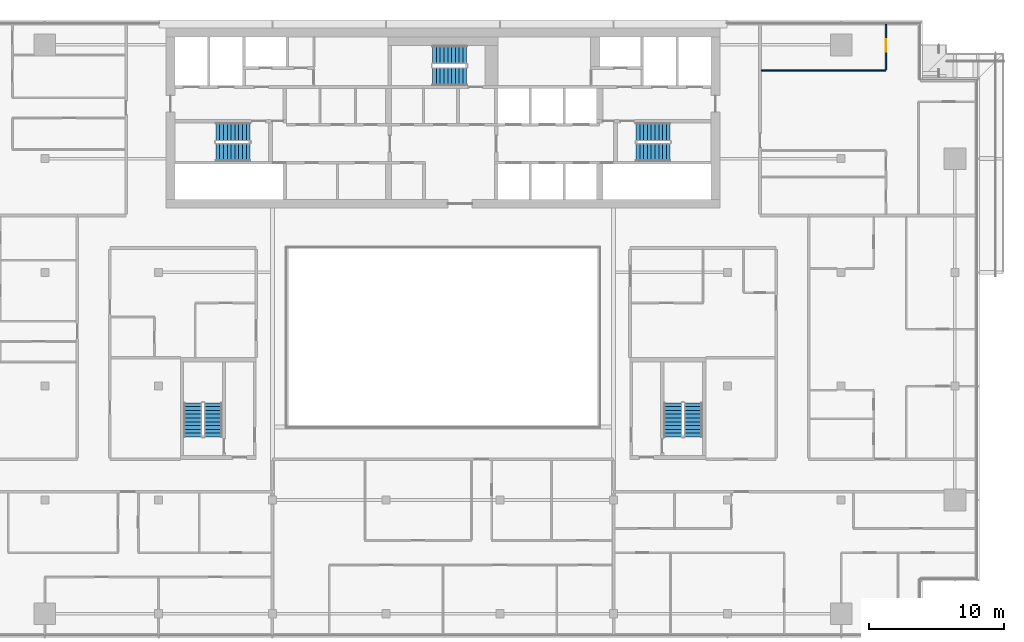
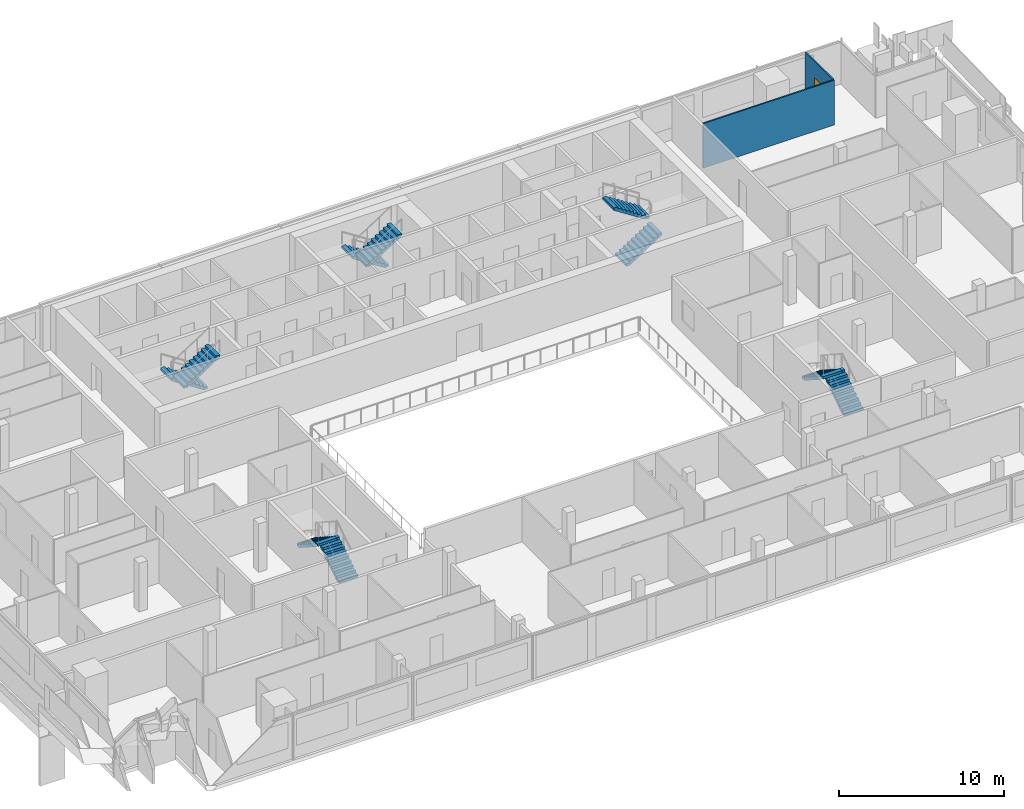
# One storey, part 24 of 30: 10 stair flights, 2 walls, 1 door, 1 opening, 5 elements without a shape of their own.
"""IFC4 building model written with IfcOpenShell, lengths in metres."""

from ifc_helpers import new_model, si_unit, direction, frame, frame_2d, origin, place, context, subcontext, project, spatial, polyline, rectangle, outline, extrude, material, layer, layer_set, type_object, element, fill, aggregate, save


model = new_model("IFC4")

# Units and contexts
model_context = context("Model", 3, precision=1e-05, world=origin(), true_north=direction((0.0, 1.0)))
body_context = subcontext(model_context, "Body", "Model", "MODEL_VIEW")
ifc_project = project(units=[si_unit("LENGTHUNIT", "METRE"), si_unit("AREAUNIT", "SQUARE_METRE"), si_unit("VOLUMEUNIT", "CUBIC_METRE"), si_unit("PLANEANGLEUNIT", "RADIAN"), si_unit("MASSUNIT", "GRAM", prefix="KILO")], contexts=[model_context])

# Site, building, storey
site_placement = place(None, origin())
site = spatial("IfcSite", under=ifc_project, at=site_placement, CompositionType="ELEMENT")
building_placement = place(site_placement, origin())
building = spatial("IfcBuilding", under=site, at=building_placement, Name="Saffron Gate Tower", CompositionType="ELEMENT")
storey_placement = place(building_placement, frame((0.0, 0.0, 245.10009765625)))
storey = spatial("IfcBuildingStorey", under=building, at=storey_placement, Name="L60", CompositionType="ELEMENT", Elevation=245.10009765625)

# Wall
ifc_material_1 = material(Name="Plasterboard on steel studs", Category="steel")
ifc_layer = layer(ifc_material_1, 0.10009765625)
ifc_layer_set = layer_set([ifc_layer], Name="PW1 Partition 100")
wall_type = type_object("IfcWallType", Name="PW1 Partition 100", PredefinedType="PARTITIONING", material=ifc_layer_set)
wall_1_placement = place(storey_placement, frame((111.10009765625, 71.90869140625, 0.0), z_axis=(0.0, 0.0, 1.0), x_axis=(1.0, 0.0, 0.0)))
element("IfcWall", 1, at=wall_1_placement, inside=storey, type_object=wall_type, Name="Partition D4-56", PredefinedType="PARTITIONING", context=body_context, shape_type="SweptSolid", body=[
    extrude(rectangle(XDim=9.199951171875, YDim=0.10009765625, at=frame_2d((4.60009765625, 0.0))), origin(), (0.0, 0.0, 1.0), 3.31982421875),
])

# Wall, opening, door
wall_2_placement = place(storey_placement, frame((120.300048828125, 71.95849609375, 0.0), z_axis=(0.0, 0.0, 1.0), x_axis=(0.0, 1.0, 0.0)))
wall_2 = element("IfcWall", 2, at=wall_2_placement, inside=storey, type_object=wall_type, Name="Partition D4-112", PredefinedType="PARTITIONING", context=body_context, shape_type="SweptSolid", body=[
    extrude(rectangle(XDim=3.361572265625, YDim=0.10009765625, at=frame_2d((1.6806640625, 0.0))), origin(), (0.0, 0.0, 1.0), 3.31982421875),
])
opening_placement = place(wall_2_placement, frame((1.345703125, 0.0, 0.0)))
opening = element("IfcOpeningElement", 3, at=opening_placement, cuts=wall_2, Name="Opening D4-33", PredefinedType="OPENING", context=body_context, shape_type="SweptSolid", body=[
    extrude(rectangle(XDim=0.89990234375, YDim=2.10009765625, at=frame_2d((0.449951171875, 1.050048828125))), frame((0.0, 0.06005859375, 0.0), z_axis=(0.0, -1.0, 0.0), x_axis=(1.0, 0.0, 0.0)), (0.0, 0.0, 1.0), 0.1201171875),
])
ifc_material_2 = material(Name="Timber door set", Category="wood")
door_type = type_object("IfcDoorType", Name="RD1 Room door 900x2100", OperationType="NOTDEFINED", PredefinedType="DOOR", material=ifc_material_2)
door_placement = place(opening_placement, origin())
door = element("IfcDoor", 4, at=door_placement, inside=storey, type_object=door_type, Name="Door D4-33", OperationType="SINGLE_SWING_RIGHT", OverallHeight=2.10009765625, OverallWidth=0.89990234375, PredefinedType="DOOR", context=body_context, shape_type="SweptSolid", body=[
    extrude(rectangle(XDim=0.89990234375, YDim=2.10009765625, at=frame_2d((0.449951171875, 1.050048828125))), frame((0.0, 0.02490234375, 0.0), z_axis=(0.0, -1.0, 0.0), x_axis=(1.0, 0.0, 0.0)), (0.0, 0.0, 1.0), 0.050048828125),
])
fill(opening, door)

# Stair, stair flights
ifc_material_3 = material(Name="Concrete C40", Category="concrete")
stair_type = type_object("IfcStairType", Name="ST7 Stair 1350 wide, 20 risers of 180", PredefinedType="HALF_TURN_STAIR", material=ifc_material_3)
stair_1_placement = place(storey_placement, origin())
stair_1 = element("IfcStair", 5, at=stair_1_placement, inside=storey, type_object=stair_type, Name="L60 Exit stair A", PredefinedType="HALF_TURN_STAIR")
stair_flight_type = type_object("IfcStairFlightType", Name="SF3 Stair flight 1350 wide, riser 180 going 280", PredefinedType="STRAIGHT", material=ifc_material_3)
stair_flight_1_placement = place(storey_placement, frame((73.35009765625, 67.375, 0.0), z_axis=(0.0, 0.0, 1.0), x_axis=(-1.0, 0.0, 0.0)))
stair_flight_1 = element("IfcStairFlight", 6, at=stair_flight_1_placement, type_object=stair_flight_type, Name="ST-A flight 1", NumberOfRisers=10, NumberOfTreads=9, PredefinedType="STRAIGHT", RiserHeight=0.18, TreadLength=0.28, context=body_context, shape_type="SweptSolid", body=[
    extrude(outline(polyline([(0.0, 0.0), (0.0, 0.179931640625), (0.280029296875, 0.179931640625), (0.280029296875, 0.360107421875), (0.56005859375, 0.360107421875), (0.56005859375, 0.5400390625), (0.840087890625, 0.5400390625), (0.840087890625, 0.719970703125), (1.1201171875, 0.719970703125), (1.1201171875, 0.89990234375), (1.39990234375, 0.89990234375), (1.39990234375, 1.080078125), (1.679931640625, 1.080078125), (1.679931640625, 1.260009765625), (1.9599609375, 1.260009765625), (1.9599609375, 1.43994140625), (2.239990234375, 1.43994140625), (2.239990234375, 1.6201171875), (2.52001953125, 1.6201171875), (2.52001953125, 1.800048828125), (2.52001953125, 1.44189453125), (0.277099609375, 0.0), (0.0, 0.0)])), frame((0.0, 0.675048828125, 0.0), z_axis=(0.0, -1.0, 0.0), x_axis=(1.0, 0.0, 0.0)), (0.0, 0.0, 1.0), 1.35009765625),
])
stair_flight_2_placement = place(storey_placement, frame((70.830078125, 65.875, 1.7998046875), z_axis=(0.0, 0.0, 1.0), x_axis=(1.0, 0.0, 0.0)))
stair_flight_2 = element("IfcStairFlight", 7, at=stair_flight_2_placement, type_object=stair_flight_type, Name="ST-A flight 2", NumberOfRisers=10, NumberOfTreads=9, PredefinedType="STRAIGHT", RiserHeight=0.18, TreadLength=0.28, context=body_context, shape_type="SweptSolid", body=[
    extrude(outline(polyline([(0.0, 0.0), (0.0, 0.179931640625), (0.280029296875, 0.179931640625), (0.280029296875, 0.360107421875), (0.56005859375, 0.360107421875), (0.56005859375, 0.5400390625), (0.840087890625, 0.5400390625), (0.840087890625, 0.719970703125), (1.1201171875, 0.719970703125), (1.1201171875, 0.89990234375), (1.39990234375, 0.89990234375), (1.39990234375, 1.080078125), (1.679931640625, 1.080078125), (1.679931640625, 1.260009765625), (1.9599609375, 1.260009765625), (1.9599609375, 1.43994140625), (2.239990234375, 1.43994140625), (2.239990234375, 1.6201171875), (2.52001953125, 1.6201171875), (2.52001953125, 1.800048828125), (2.52001953125, 1.44189453125), (0.277099609375, 0.0), (0.0, 0.0)])), frame((0.0, 0.675048828125, 0.0), z_axis=(0.0, -1.0, 0.0), x_axis=(1.0, 0.0, 0.0)), (0.0, 0.0, 1.0), 1.35009765625),
])
aggregate(stair_1, [stair_flight_1, stair_flight_2])

stair_2_placement = place(storey_placement, origin())
stair_2 = element("IfcStair", 8, at=stair_2_placement, inside=storey, type_object=stair_type, Name="L60 Exit stair B", PredefinedType="HALF_TURN_STAIR")
stair_flight_3_placement = place(storey_placement, frame((101.85009765625, 65.875, 0.0), z_axis=(0.0, 0.0, 1.0), x_axis=(1.0, 0.0, 0.0)))
stair_flight_3 = element("IfcStairFlight", 9, at=stair_flight_3_placement, type_object=stair_flight_type, Name="ST-B flight 1", NumberOfRisers=10, NumberOfTreads=9, PredefinedType="STRAIGHT", RiserHeight=0.18, TreadLength=0.28, context=body_context, shape_type="SweptSolid", body=[
    extrude(outline(polyline([(0.0, 0.0), (0.0, 0.179931640625), (0.280029296875, 0.179931640625), (0.280029296875, 0.360107421875), (0.56005859375, 0.360107421875), (0.56005859375, 0.5400390625), (0.840087890625, 0.5400390625), (0.840087890625, 0.719970703125), (1.1201171875, 0.719970703125), (1.1201171875, 0.89990234375), (1.39990234375, 0.89990234375), (1.39990234375, 1.080078125), (1.679931640625, 1.080078125), (1.679931640625, 1.260009765625), (1.9599609375, 1.260009765625), (1.9599609375, 1.43994140625), (2.239990234375, 1.43994140625), (2.239990234375, 1.6201171875), (2.52001953125, 1.6201171875), (2.52001953125, 1.800048828125), (2.52001953125, 1.44189453125), (0.277099609375, 0.0), (0.0, 0.0)])), frame((0.0, 0.675048828125, 0.0), z_axis=(0.0, -1.0, 0.0), x_axis=(1.0, 0.0, 0.0)), (0.0, 0.0, 1.0), 1.35009765625),
])
stair_flight_4_placement = place(storey_placement, frame((104.3701171875, 67.375, 1.7998046875), z_axis=(0.0, 0.0, 1.0), x_axis=(-1.0, 0.0, 0.0)))
stair_flight_4 = element("IfcStairFlight", 10, at=stair_flight_4_placement, type_object=stair_flight_type, Name="ST-B flight 2", NumberOfRisers=10, NumberOfTreads=9, PredefinedType="STRAIGHT", RiserHeight=0.18, TreadLength=0.28, context=body_context, shape_type="SweptSolid", body=[
    extrude(outline(polyline([(0.0, 0.0), (0.0, 0.179931640625), (0.280029296875, 0.179931640625), (0.280029296875, 0.360107421875), (0.56005859375, 0.360107421875), (0.56005859375, 0.5400390625), (0.840087890625, 0.5400390625), (0.840087890625, 0.719970703125), (1.1201171875, 0.719970703125), (1.1201171875, 0.89990234375), (1.39990234375, 0.89990234375), (1.39990234375, 1.080078125), (1.679931640625, 1.080078125), (1.679931640625, 1.260009765625), (1.9599609375, 1.260009765625), (1.9599609375, 1.43994140625), (2.239990234375, 1.43994140625), (2.239990234375, 1.6201171875), (2.52001953125, 1.6201171875), (2.52001953125, 1.800048828125), (2.52001953125, 1.44189453125), (0.277099609375, 0.0), (0.0, 0.0)])), frame((0.0, 0.675048828125, 0.0), z_axis=(0.0, -1.0, 0.0), x_axis=(1.0, 0.0, 0.0)), (0.0, 0.0, 1.0), 1.35009765625),
])
aggregate(stair_2, [stair_flight_3, stair_flight_4])

stair_3_placement = place(storey_placement, origin())
stair_3 = element("IfcStair", 11, at=stair_3_placement, inside=storey, type_object=stair_type, Name="L60 Exit stair C", PredefinedType="HALF_TURN_STAIR")
stair_flight_5_placement = place(storey_placement, frame((89.35009765625, 73.074951171875, 0.0), z_axis=(0.0, 0.0, 1.0), x_axis=(-1.0, 0.0, 0.0)))
stair_flight_5 = element("IfcStairFlight", 12, at=stair_flight_5_placement, type_object=stair_flight_type, Name="ST-C flight 1", NumberOfRisers=10, NumberOfTreads=9, PredefinedType="STRAIGHT", RiserHeight=0.18, TreadLength=0.28, context=body_context, shape_type="SweptSolid", body=[
    extrude(outline(polyline([(0.0, 0.0), (0.0, 0.179931640625), (0.280029296875, 0.179931640625), (0.280029296875, 0.360107421875), (0.56005859375, 0.360107421875), (0.56005859375, 0.5400390625), (0.840087890625, 0.5400390625), (0.840087890625, 0.719970703125), (1.1201171875, 0.719970703125), (1.1201171875, 0.89990234375), (1.39990234375, 0.89990234375), (1.39990234375, 1.080078125), (1.679931640625, 1.080078125), (1.679931640625, 1.260009765625), (1.9599609375, 1.260009765625), (1.9599609375, 1.43994140625), (2.239990234375, 1.43994140625), (2.239990234375, 1.6201171875), (2.52001953125, 1.6201171875), (2.52001953125, 1.800048828125), (2.52001953125, 1.44189453125), (0.277099609375, 0.0), (0.0, 0.0)])), frame((0.0, 0.675048828125, 0.0), z_axis=(0.0, -1.0, 0.0), x_axis=(1.0, 0.0, 0.0)), (0.0, 0.0, 1.0), 1.35009765625),
])
stair_flight_6_placement = place(storey_placement, frame((86.830078125, 71.47509765625, 1.7998046875), z_axis=(0.0, 0.0, 1.0), x_axis=(1.0, 0.0, 0.0)))
stair_flight_6 = element("IfcStairFlight", 13, at=stair_flight_6_placement, type_object=stair_flight_type, Name="ST-C flight 2", NumberOfRisers=10, NumberOfTreads=9, PredefinedType="STRAIGHT", RiserHeight=0.18, TreadLength=0.28, context=body_context, shape_type="SweptSolid", body=[
    extrude(outline(polyline([(0.0, 0.0), (0.0, 0.179931640625), (0.280029296875, 0.179931640625), (0.280029296875, 0.360107421875), (0.56005859375, 0.360107421875), (0.56005859375, 0.5400390625), (0.840087890625, 0.5400390625), (0.840087890625, 0.719970703125), (1.1201171875, 0.719970703125), (1.1201171875, 0.89990234375), (1.39990234375, 0.89990234375), (1.39990234375, 1.080078125), (1.679931640625, 1.080078125), (1.679931640625, 1.260009765625), (1.9599609375, 1.260009765625), (1.9599609375, 1.43994140625), (2.239990234375, 1.43994140625), (2.239990234375, 1.6201171875), (2.52001953125, 1.6201171875), (2.52001953125, 1.800048828125), (2.52001953125, 1.44189453125), (0.277099609375, 0.0), (0.0, 0.0)])), frame((0.0, 0.675048828125, 0.0), z_axis=(0.0, -1.0, 0.0), x_axis=(1.0, 0.0, 0.0)), (0.0, 0.0, 1.0), 1.35009765625),
])
aggregate(stair_3, [stair_flight_5, stair_flight_6])

stair_4_placement = place(storey_placement, origin())
stair_4 = element("IfcStair", 14, at=stair_4_placement, inside=storey, type_object=stair_type, Name="L60 Exit stair D", PredefinedType="HALF_TURN_STAIR")
stair_flight_7_placement = place(storey_placement, frame((70.625, 44.85009765625, 0.0), z_axis=(0.0, 0.0, 1.0), x_axis=(0.0, 1.0, 0.0)))
stair_flight_7 = element("IfcStairFlight", 15, at=stair_flight_7_placement, type_object=stair_flight_type, Name="ST-D flight 1", NumberOfRisers=10, NumberOfTreads=9, PredefinedType="STRAIGHT", RiserHeight=0.18, TreadLength=0.28, context=body_context, shape_type="SweptSolid", body=[
    extrude(outline(polyline([(0.0, 0.0), (0.0, 0.179931640625), (0.280029296875, 0.179931640625), (0.280029296875, 0.360107421875), (0.56005859375, 0.360107421875), (0.56005859375, 0.5400390625), (0.840087890625, 0.5400390625), (0.840087890625, 0.719970703125), (1.1201171875, 0.719970703125), (1.1201171875, 0.89990234375), (1.39990234375, 0.89990234375), (1.39990234375, 1.080078125), (1.679931640625, 1.080078125), (1.679931640625, 1.260009765625), (1.9599609375, 1.260009765625), (1.9599609375, 1.43994140625), (2.239990234375, 1.43994140625), (2.239990234375, 1.6201171875), (2.52001953125, 1.6201171875), (2.52001953125, 1.800048828125), (2.52001953125, 1.44189453125), (0.277099609375, 0.0), (0.0, 0.0)])), frame((0.0, 0.675048828125, 0.0), z_axis=(0.0, -1.0, 0.0), x_axis=(1.0, 0.0, 0.0)), (0.0, 0.0, 1.0), 1.35009765625),
])
stair_flight_8_placement = place(storey_placement, frame((69.125, 47.3701171875, 1.7998046875), z_axis=(0.0, 0.0, 1.0), x_axis=(0.0, -1.0, 0.0)))
stair_flight_8 = element("IfcStairFlight", 16, at=stair_flight_8_placement, type_object=stair_flight_type, Name="ST-D flight 2", NumberOfRisers=10, NumberOfTreads=9, PredefinedType="STRAIGHT", RiserHeight=0.18, TreadLength=0.28, context=body_context, shape_type="SweptSolid", body=[
    extrude(outline(polyline([(0.0, 0.0), (0.0, 0.179931640625), (0.280029296875, 0.179931640625), (0.280029296875, 0.360107421875), (0.56005859375, 0.360107421875), (0.56005859375, 0.5400390625), (0.840087890625, 0.5400390625), (0.840087890625, 0.719970703125), (1.1201171875, 0.719970703125), (1.1201171875, 0.89990234375), (1.39990234375, 0.89990234375), (1.39990234375, 1.080078125), (1.679931640625, 1.080078125), (1.679931640625, 1.260009765625), (1.9599609375, 1.260009765625), (1.9599609375, 1.43994140625), (2.239990234375, 1.43994140625), (2.239990234375, 1.6201171875), (2.52001953125, 1.6201171875), (2.52001953125, 1.800048828125), (2.52001953125, 1.44189453125), (0.277099609375, 0.0), (0.0, 0.0)])), frame((0.0, 0.675048828125, 0.0), z_axis=(0.0, -1.0, 0.0), x_axis=(1.0, 0.0, 0.0)), (0.0, 0.0, 1.0), 1.35009765625),
])
aggregate(stair_4, [stair_flight_7, stair_flight_8])

stair_5_placement = place(storey_placement, origin())
stair_5 = element("IfcStair", 17, at=stair_5_placement, inside=storey, type_object=stair_type, Name="L60 Exit stair E", PredefinedType="HALF_TURN_STAIR")
stair_flight_9_placement = place(storey_placement, frame((106.074951171875, 44.85009765625, 0.0), z_axis=(0.0, 0.0, 1.0), x_axis=(0.0, 1.0, 0.0)))
stair_flight_9 = element("IfcStairFlight", 18, at=stair_flight_9_placement, type_object=stair_flight_type, Name="ST-E flight 1", NumberOfRisers=10, NumberOfTreads=9, PredefinedType="STRAIGHT", RiserHeight=0.18, TreadLength=0.28, context=body_context, shape_type="SweptSolid", body=[
    extrude(outline(polyline([(0.0, 0.0), (0.0, 0.179931640625), (0.280029296875, 0.179931640625), (0.280029296875, 0.360107421875), (0.56005859375, 0.360107421875), (0.56005859375, 0.5400390625), (0.840087890625, 0.5400390625), (0.840087890625, 0.719970703125), (1.1201171875, 0.719970703125), (1.1201171875, 0.89990234375), (1.39990234375, 0.89990234375), (1.39990234375, 1.080078125), (1.679931640625, 1.080078125), (1.679931640625, 1.260009765625), (1.9599609375, 1.260009765625), (1.9599609375, 1.43994140625), (2.239990234375, 1.43994140625), (2.239990234375, 1.6201171875), (2.52001953125, 1.6201171875), (2.52001953125, 1.800048828125), (2.52001953125, 1.44189453125), (0.277099609375, 0.0), (0.0, 0.0)])), frame((0.0, 0.675048828125, 0.0), z_axis=(0.0, -1.0, 0.0), x_axis=(1.0, 0.0, 0.0)), (0.0, 0.0, 1.0), 1.35009765625),
])
stair_flight_10_placement = place(storey_placement, frame((104.574951171875, 47.3701171875, 1.7998046875), z_axis=(0.0, 0.0, 1.0), x_axis=(0.0, -1.0, 0.0)))
stair_flight_10 = element("IfcStairFlight", 19, at=stair_flight_10_placement, type_object=stair_flight_type, Name="ST-E flight 2", NumberOfRisers=10, NumberOfTreads=9, PredefinedType="STRAIGHT", RiserHeight=0.18, TreadLength=0.28, context=body_context, shape_type="SweptSolid", body=[
    extrude(outline(polyline([(0.0, 0.0), (0.0, 0.179931640625), (0.280029296875, 0.179931640625), (0.280029296875, 0.360107421875), (0.56005859375, 0.360107421875), (0.56005859375, 0.5400390625), (0.840087890625, 0.5400390625), (0.840087890625, 0.719970703125), (1.1201171875, 0.719970703125), (1.1201171875, 0.89990234375), (1.39990234375, 0.89990234375), (1.39990234375, 1.080078125), (1.679931640625, 1.080078125), (1.679931640625, 1.260009765625), (1.9599609375, 1.260009765625), (1.9599609375, 1.43994140625), (2.239990234375, 1.43994140625), (2.239990234375, 1.6201171875), (2.52001953125, 1.6201171875), (2.52001953125, 1.800048828125), (2.52001953125, 1.44189453125), (0.277099609375, 0.0), (0.0, 0.0)])), frame((0.0, 0.675048828125, 0.0), z_axis=(0.0, -1.0, 0.0), x_axis=(1.0, 0.0, 0.0)), (0.0, 0.0, 1.0), 1.35009765625),
])
aggregate(stair_5, [stair_flight_9, stair_flight_10])

save(model, "model.ifc")
